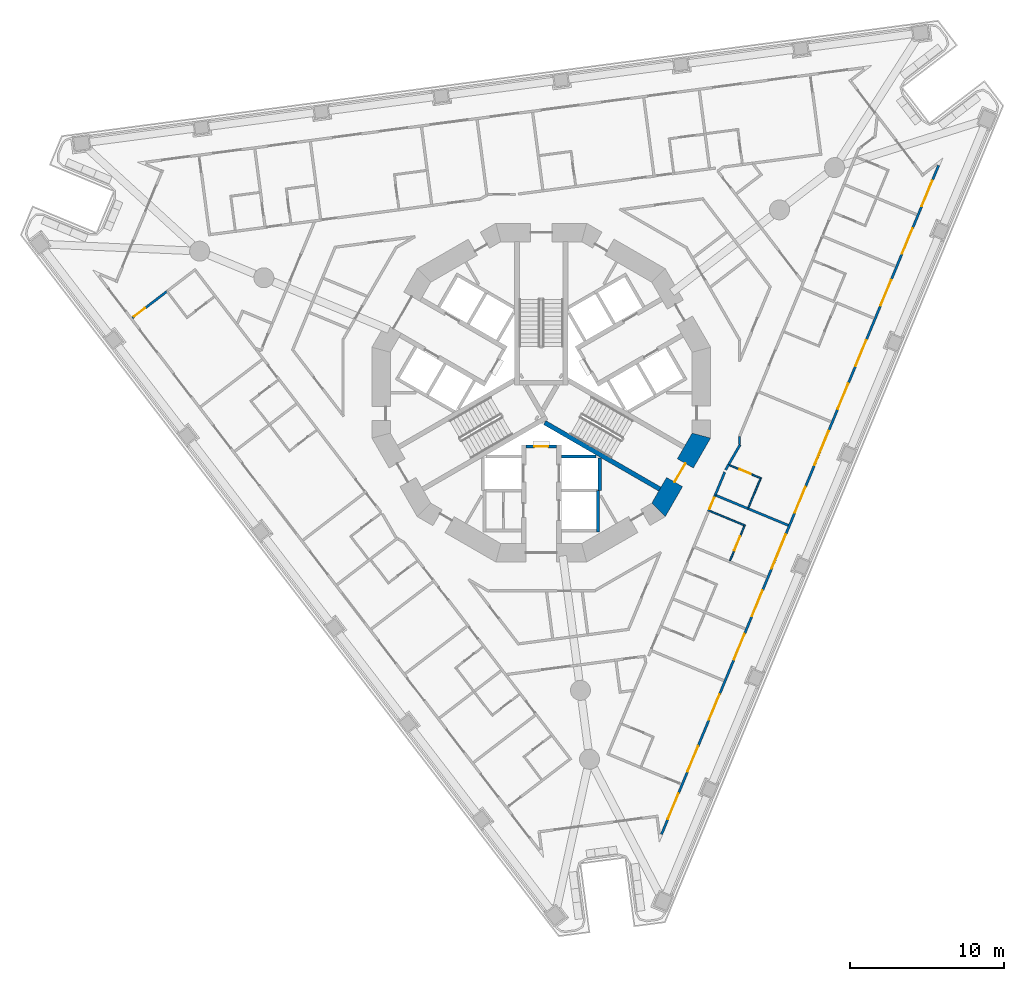
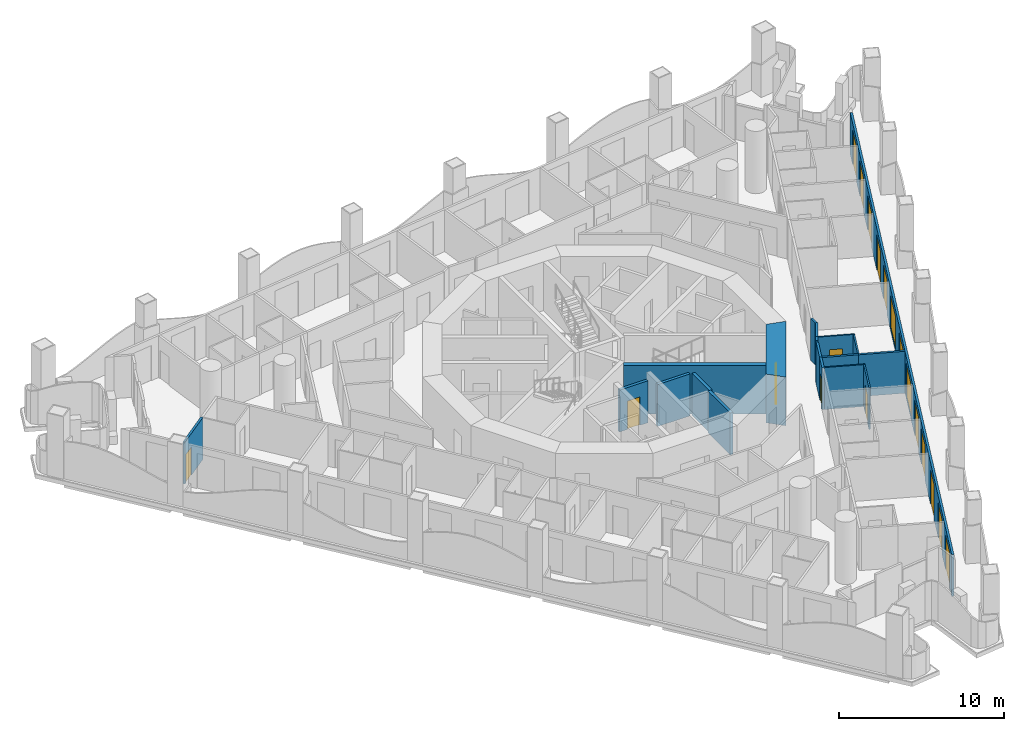
# One storey, part 5 of 19: 19 walls, 17 doors, 2 windows, 19 openings.
"""IFC4 building model written with IfcOpenShell, lengths in metres."""

from ifc_helpers import new_model, si_unit, direction, frame, frame_2d, origin, place, context, subcontext, project, spatial, polyline, rectangle, outline, extrude, material, layer, layer_set, type_object, element, fill, save


model = new_model("IFC4")

# Units and contexts
model_context = context("Model", 3, precision=1e-05, world=origin(), true_north=direction((0.0, 1.0)))
body_context = subcontext(model_context, "Body", "Model", "MODEL_VIEW")
ifc_project = project(units=[si_unit("LENGTHUNIT", "METRE"), si_unit("AREAUNIT", "SQUARE_METRE"), si_unit("VOLUMEUNIT", "CUBIC_METRE"), si_unit("PLANEANGLEUNIT", "RADIAN"), si_unit("MASSUNIT", "GRAM", prefix="KILO")], contexts=[model_context])

# Site, building, storey
site_placement = place(None, origin())
site = spatial("IfcSite", under=ifc_project, at=site_placement, CompositionType="ELEMENT")
building_placement = place(site_placement, origin())
building = spatial("IfcBuilding", under=site, at=building_placement, Name="Trine Commons Tower", CompositionType="ELEMENT")
storey_placement = place(building_placement, frame((0.0, 0.0, 79.199951171875)))
storey = spatial("IfcBuildingStorey", under=building, at=storey_placement, Name="L19", CompositionType="ELEMENT", Elevation=79.199951171875)

# Wall, openings, windows, doors
ifc_material_1 = material(Name="Aluminium-framed insulated wall panel", Category="aluminium")
ifc_layer_1 = layer(ifc_material_1, 0.14990234375)
ifc_layer_set_1 = layer_set([ifc_layer_1], Name="Aluminium-framed insulated wall panel")
wall_type_1 = type_object("IfcWallType", Name="Glazed frame wall 150, EI 60", PredefinedType="SOLIDWALL", material=ifc_layer_set_1)
wall_1_placement = place(storey_placement, frame((105.888671875, 77.410888671875, 0.0), z_axis=(0.0, 0.0, 1.0), x_axis=(-0.38268395344, -0.923879316675, 0.0)))
wall_1 = element("IfcWall", 1, at=wall_1_placement, inside=storey, type_object=wall_type_1, Name="Glazed frame wall F2", PredefinedType="SOLIDWALL", context=body_context, shape_type="SweptSolid", body=[
    extrude(outline(polyline([(0.1494140625, 0.074951171875), (0.1494140625, -0.074951171875), (47.216796875, -0.074951171875), (47.216796875, 0.074951171875), (0.1494140625, 0.074951171875)])), origin(), (0.0, 0.0, 1.0), 3.10009765625),
])
opening_1_placement = place(wall_1_placement, frame((1.2216796875, 0.0, 0.0)))
opening_1 = element("IfcOpeningElement", 2, at=opening_1_placement, cuts=wall_1, Name="Opening BD-2F2-01", PredefinedType="OPENING", context=body_context, shape_type="SweptSolid", body=[
    extrude(rectangle(XDim=1.800048828125, YDim=2.60009765625, at=frame_2d((0.89990234375, 1.300048828125))), frame((0.0, 0.0849609375, 0.0), z_axis=(0.0, -1.0, 0.0), x_axis=(1.0, 0.0, 0.0)), (0.0, 0.0, 1.0), 0.169921875),
])
opening_2_placement = place(wall_1_placement, frame((4.5654296875, 0.0, 0.0)))
opening_2 = element("IfcOpeningElement", 3, at=opening_2_placement, cuts=wall_1, Name="Opening BD-2F2-02", PredefinedType="OPENING", context=body_context, shape_type="SweptSolid", body=[
    extrude(rectangle(XDim=1.800048828125, YDim=2.60009765625, at=frame_2d((0.89990234375, 1.300048828125))), frame((0.0, 0.0849609375, 0.0), z_axis=(0.0, -1.0, 0.0), x_axis=(1.0, 0.0, 0.0)), (0.0, 0.0, 1.0), 0.169921875),
])
opening_3_placement = place(wall_1_placement, frame((8.208984375, 0.0, 0.0)))
opening_3 = element("IfcOpeningElement", 4, at=opening_3_placement, cuts=wall_1, Name="Opening BD-2F2-03", PredefinedType="OPENING", context=body_context, shape_type="SweptSolid", body=[
    extrude(rectangle(XDim=1.800048828125, YDim=2.60009765625, at=frame_2d((0.89990234375, 1.300048828125))), frame((0.0, 0.0849609375, 0.0), z_axis=(0.0, -1.0, 0.0), x_axis=(1.0, 0.0, 0.0)), (0.0, 0.0, 1.0), 0.169921875),
])
opening_4_placement = place(wall_1_placement, frame((12.45263671875, 0.0, 0.0)))
opening_4 = element("IfcOpeningElement", 5, at=opening_4_placement, cuts=wall_1, Name="Opening BD-2F2-04", PredefinedType="OPENING", context=body_context, shape_type="SweptSolid", body=[
    extrude(rectangle(XDim=1.800048828125, YDim=2.60009765625, at=frame_2d((0.89990234375, 1.300048828125))), frame((0.0, 0.0849609375, 0.0), z_axis=(0.0, -1.0, 0.0), x_axis=(1.0, 0.0, 0.0)), (0.0, 0.0, 1.0), 0.169921875),
])
opening_5_placement = place(wall_1_placement, frame((15.49609375, 0.0, 0.0)))
opening_5 = element("IfcOpeningElement", 6, at=opening_5_placement, cuts=wall_1, Name="Opening BD-2F2-05", PredefinedType="OPENING", context=body_context, shape_type="SweptSolid", body=[
    extrude(rectangle(XDim=1.800048828125, YDim=2.60009765625, at=frame_2d((0.89990234375, 1.300048828125))), frame((0.0, 0.0849609375, 0.0), z_axis=(0.0, -1.0, 0.0), x_axis=(1.0, 0.0, 0.0)), (0.0, 0.0, 1.0), 0.169921875),
])
opening_6_placement = place(wall_1_placement, frame((18.83984375, 0.0, 0.14990234375)))
opening_6 = element("IfcOpeningElement", 7, at=opening_6_placement, cuts=wall_1, Name="Opening W-2F2-06", PredefinedType="OPENING", context=body_context, shape_type="SweptSolid", body=[
    extrude(rectangle(XDim=2.39990234375, YDim=2.449951171875, at=frame_2d((1.199951171875, 1.22509765625))), frame((0.0, 0.0849609375, 0.0), z_axis=(0.0, -1.0, 0.0), x_axis=(1.0, 0.0, 0.0)), (0.0, 0.0, 1.0), 0.169921875),
])
opening_7_placement = place(wall_1_placement, frame((22.783447265625, 0.0, 0.0)))
opening_7 = element("IfcOpeningElement", 8, at=opening_7_placement, cuts=wall_1, Name="Opening BD-2F2-07", PredefinedType="OPENING", context=body_context, shape_type="SweptSolid", body=[
    extrude(rectangle(XDim=1.800048828125, YDim=2.60009765625, at=frame_2d((0.89990234375, 1.300048828125))), frame((0.0, 0.0849609375, 0.0), z_axis=(0.0, -1.0, 0.0), x_axis=(1.0, 0.0, 0.0)), (0.0, 0.0, 1.0), 0.169921875),
])
opening_8_placement = place(wall_1_placement, frame((26.126953125, 0.0, 0.14990234375)))
opening_8 = element("IfcOpeningElement", 9, at=opening_8_placement, cuts=wall_1, Name="Opening W-2F2-08", PredefinedType="OPENING", context=body_context, shape_type="SweptSolid", body=[
    extrude(rectangle(XDim=2.39990234375, YDim=2.449951171875, at=frame_2d((1.199951171875, 1.22509765625))), frame((0.0, 0.0849609375, 0.0), z_axis=(0.0, -1.0, 0.0), x_axis=(1.0, 0.0, 0.0)), (0.0, 0.0, 1.0), 0.169921875),
])
opening_9_placement = place(wall_1_placement, frame((30.070556640625, 0.0, 0.0)))
opening_9 = element("IfcOpeningElement", 10, at=opening_9_placement, cuts=wall_1, Name="Opening BD-2F2-09", PredefinedType="OPENING", context=body_context, shape_type="SweptSolid", body=[
    extrude(rectangle(XDim=1.800048828125, YDim=2.60009765625, at=frame_2d((0.89990234375, 1.300048828125))), frame((0.0, 0.0849609375, 0.0), z_axis=(0.0, -1.0, 0.0), x_axis=(1.0, 0.0, 0.0)), (0.0, 0.0, 1.0), 0.169921875),
])
opening_10_placement = place(wall_1_placement, frame((33.1142578125, 0.0, 0.0)))
opening_10 = element("IfcOpeningElement", 11, at=opening_10_placement, cuts=wall_1, Name="Opening BD-2F2-10", PredefinedType="OPENING", context=body_context, shape_type="SweptSolid", body=[
    extrude(rectangle(XDim=1.800048828125, YDim=2.60009765625, at=frame_2d((0.89990234375, 1.300048828125))), frame((0.0, 0.0849609375, 0.0), z_axis=(0.0, -1.0, 0.0), x_axis=(1.0, 0.0, 0.0)), (0.0, 0.0, 1.0), 0.169921875),
])
opening_11_placement = place(wall_1_placement, frame((37.35791015625, 0.0, 0.0)))
opening_11 = element("IfcOpeningElement", 12, at=opening_11_placement, cuts=wall_1, Name="Opening BD-2F2-11", PredefinedType="OPENING", context=body_context, shape_type="SweptSolid", body=[
    extrude(rectangle(XDim=1.800048828125, YDim=2.60009765625, at=frame_2d((0.89990234375, 1.300048828125))), frame((0.0, 0.0849609375, 0.0), z_axis=(0.0, -1.0, 0.0), x_axis=(1.0, 0.0, 0.0)), (0.0, 0.0, 1.0), 0.169921875),
])
opening_12_placement = place(wall_1_placement, frame((41.00146484375, 0.0, 0.0)))
opening_12 = element("IfcOpeningElement", 13, at=opening_12_placement, cuts=wall_1, Name="Opening BD-2F2-12", PredefinedType="OPENING", context=body_context, shape_type="SweptSolid", body=[
    extrude(rectangle(XDim=1.800048828125, YDim=2.60009765625, at=frame_2d((0.89990234375, 1.300048828125))), frame((0.0, 0.0849609375, 0.0), z_axis=(0.0, -1.0, 0.0), x_axis=(1.0, 0.0, 0.0)), (0.0, 0.0, 1.0), 0.169921875),
])
opening_13_placement = place(wall_1_placement, frame((44.344970703125, 0.0, 0.0)))
opening_13 = element("IfcOpeningElement", 14, at=opening_13_placement, cuts=wall_1, Name="Opening BD-2F2-13", PredefinedType="OPENING", context=body_context, shape_type="SweptSolid", body=[
    extrude(rectangle(XDim=1.800048828125, YDim=2.60009765625, at=frame_2d((0.89990234375, 1.300048828125))), frame((0.0, 0.0849609375, 0.0), z_axis=(0.0, -1.0, 0.0), x_axis=(1.0, 0.0, 0.0)), (0.0, 0.0, 1.0), 0.169921875),
])
ifc_material_2 = material(Name="Anodised aluminium frame with double glazing", Category="aluminium")
window_type = type_object("IfcWindowType", Name="Fixed window 2400x2450", PartitioningType="SINGLE_PANEL", PredefinedType="WINDOW", material=ifc_material_2)
window_1_placement = place(opening_6_placement, origin())
window_1 = element("IfcWindow", 15, at=window_1_placement, inside=storey, type_object=window_type, Name="Window F2 6", OverallHeight=2.449951171875, OverallWidth=2.39990234375, PartitioningType="SINGLE_PANEL", PredefinedType="WINDOW", context=body_context, shape_type="SweptSolid", body=[
    extrude(rectangle(XDim=2.39990234375, YDim=2.449951171875, at=frame_2d((1.199951171875, 1.22509765625))), frame((0.0, 0.030029296875, 0.0), z_axis=(0.0, -1.0, 0.0), x_axis=(1.0, 0.0, 0.0)), (0.0, 0.0, 1.0), 0.06005859375),
])
fill(opening_6, window_1)
window_2_placement = place(opening_8_placement, origin())
window_2 = element("IfcWindow", 16, at=window_2_placement, inside=storey, type_object=window_type, Name="Window F2 8", OverallHeight=2.449951171875, OverallWidth=2.39990234375, PartitioningType="SINGLE_PANEL", PredefinedType="WINDOW", context=body_context, shape_type="SweptSolid", body=[
    extrude(rectangle(XDim=2.39990234375, YDim=2.449951171875, at=frame_2d((1.199951171875, 1.22509765625))), frame((0.0, 0.030029296875, 0.0), z_axis=(0.0, -1.0, 0.0), x_axis=(1.0, 0.0, 0.0)), (0.0, 0.0, 1.0), 0.06005859375),
])
fill(opening_8, window_2)
door_type_1 = type_object("IfcDoorType", Name="Sliding loggia door 1800x2600", OperationType="SLIDING_TO_LEFT", PredefinedType="DOOR", material=ifc_material_2)
door_1_placement = place(opening_1_placement, origin())
door_1 = element("IfcDoor", 17, at=door_1_placement, inside=storey, type_object=door_type_1, Name="Loggia door F2 1", OperationType="SLIDING_TO_LEFT", OverallHeight=2.60009765625, OverallWidth=1.800048828125, PredefinedType="DOOR", context=body_context, shape_type="SweptSolid", body=[
    extrude(rectangle(XDim=1.800048828125, YDim=2.60009765625, at=frame_2d((0.89990234375, 1.300048828125))), frame((0.0, 0.02490234375, 0.0), z_axis=(0.0, -1.0, 0.0), x_axis=(1.0, 0.0, 0.0)), (0.0, 0.0, 1.0), 0.050048828125),
])
fill(opening_1, door_1)
door_2_placement = place(opening_2_placement, origin())
door_2 = element("IfcDoor", 18, at=door_2_placement, inside=storey, type_object=door_type_1, Name="Loggia door F2 2", OperationType="SLIDING_TO_LEFT", OverallHeight=2.60009765625, OverallWidth=1.800048828125, PredefinedType="DOOR", context=body_context, shape_type="SweptSolid", body=[
    extrude(rectangle(XDim=1.800048828125, YDim=2.60009765625, at=frame_2d((0.89990234375, 1.300048828125))), frame((0.0, 0.02490234375, 0.0), z_axis=(0.0, -1.0, 0.0), x_axis=(1.0, 0.0, 0.0)), (0.0, 0.0, 1.0), 0.050048828125),
])
fill(opening_2, door_2)
door_3_placement = place(opening_3_placement, origin())
door_3 = element("IfcDoor", 19, at=door_3_placement, inside=storey, type_object=door_type_1, Name="Loggia door F2 3", OperationType="SLIDING_TO_LEFT", OverallHeight=2.60009765625, OverallWidth=1.800048828125, PredefinedType="DOOR", context=body_context, shape_type="SweptSolid", body=[
    extrude(rectangle(XDim=1.800048828125, YDim=2.60009765625, at=frame_2d((0.89990234375, 1.300048828125))), frame((0.0, 0.02490234375, 0.0), z_axis=(0.0, -1.0, 0.0), x_axis=(1.0, 0.0, 0.0)), (0.0, 0.0, 1.0), 0.050048828125),
])
fill(opening_3, door_3)
door_4_placement = place(opening_4_placement, origin())
door_4 = element("IfcDoor", 20, at=door_4_placement, inside=storey, type_object=door_type_1, Name="Loggia door F2 4", OperationType="SLIDING_TO_LEFT", OverallHeight=2.60009765625, OverallWidth=1.800048828125, PredefinedType="DOOR", context=body_context, shape_type="SweptSolid", body=[
    extrude(rectangle(XDim=1.800048828125, YDim=2.60009765625, at=frame_2d((0.89990234375, 1.300048828125))), frame((0.0, 0.02490234375, 0.0), z_axis=(0.0, -1.0, 0.0), x_axis=(1.0, 0.0, 0.0)), (0.0, 0.0, 1.0), 0.050048828125),
])
fill(opening_4, door_4)
door_5_placement = place(opening_5_placement, origin())
door_5 = element("IfcDoor", 21, at=door_5_placement, inside=storey, type_object=door_type_1, Name="Loggia door F2 5", OperationType="SLIDING_TO_LEFT", OverallHeight=2.60009765625, OverallWidth=1.800048828125, PredefinedType="DOOR", context=body_context, shape_type="SweptSolid", body=[
    extrude(rectangle(XDim=1.800048828125, YDim=2.60009765625, at=frame_2d((0.89990234375, 1.300048828125))), frame((0.0, 0.02490234375, 0.0), z_axis=(0.0, -1.0, 0.0), x_axis=(1.0, 0.0, 0.0)), (0.0, 0.0, 1.0), 0.050048828125),
])
fill(opening_5, door_5)
door_6_placement = place(opening_7_placement, origin())
door_6 = element("IfcDoor", 22, at=door_6_placement, inside=storey, type_object=door_type_1, Name="Loggia door F2 7", OperationType="SLIDING_TO_LEFT", OverallHeight=2.60009765625, OverallWidth=1.800048828125, PredefinedType="DOOR", context=body_context, shape_type="SweptSolid", body=[
    extrude(rectangle(XDim=1.800048828125, YDim=2.60009765625, at=frame_2d((0.89990234375, 1.300048828125))), frame((0.0, 0.02490234375, 0.0), z_axis=(0.0, -1.0, 0.0), x_axis=(1.0, 0.0, 0.0)), (0.0, 0.0, 1.0), 0.050048828125),
])
fill(opening_7, door_6)
door_7_placement = place(opening_9_placement, origin())
door_7 = element("IfcDoor", 23, at=door_7_placement, inside=storey, type_object=door_type_1, Name="Loggia door F2 9", OperationType="SLIDING_TO_LEFT", OverallHeight=2.60009765625, OverallWidth=1.800048828125, PredefinedType="DOOR", context=body_context, shape_type="SweptSolid", body=[
    extrude(rectangle(XDim=1.800048828125, YDim=2.60009765625, at=frame_2d((0.89990234375, 1.300048828125))), frame((0.0, 0.02490234375, 0.0), z_axis=(0.0, -1.0, 0.0), x_axis=(1.0, 0.0, 0.0)), (0.0, 0.0, 1.0), 0.050048828125),
])
fill(opening_9, door_7)
door_8_placement = place(opening_10_placement, origin())
door_8 = element("IfcDoor", 24, at=door_8_placement, inside=storey, type_object=door_type_1, Name="Loggia door F2 10", OperationType="SLIDING_TO_LEFT", OverallHeight=2.60009765625, OverallWidth=1.800048828125, PredefinedType="DOOR", context=body_context, shape_type="SweptSolid", body=[
    extrude(rectangle(XDim=1.800048828125, YDim=2.60009765625, at=frame_2d((0.89990234375, 1.300048828125))), frame((0.0, 0.02490234375, 0.0), z_axis=(0.0, -1.0, 0.0), x_axis=(1.0, 0.0, 0.0)), (0.0, 0.0, 1.0), 0.050048828125),
])
fill(opening_10, door_8)
door_9_placement = place(opening_11_placement, origin())
door_9 = element("IfcDoor", 25, at=door_9_placement, inside=storey, type_object=door_type_1, Name="Loggia door F2 11", OperationType="SLIDING_TO_LEFT", OverallHeight=2.60009765625, OverallWidth=1.800048828125, PredefinedType="DOOR", context=body_context, shape_type="SweptSolid", body=[
    extrude(rectangle(XDim=1.800048828125, YDim=2.60009765625, at=frame_2d((0.89990234375, 1.300048828125))), frame((0.0, 0.02490234375, 0.0), z_axis=(0.0, -1.0, 0.0), x_axis=(1.0, 0.0, 0.0)), (0.0, 0.0, 1.0), 0.050048828125),
])
fill(opening_11, door_9)
door_10_placement = place(opening_12_placement, origin())
door_10 = element("IfcDoor", 26, at=door_10_placement, inside=storey, type_object=door_type_1, Name="Loggia door F2 12", OperationType="SLIDING_TO_LEFT", OverallHeight=2.60009765625, OverallWidth=1.800048828125, PredefinedType="DOOR", context=body_context, shape_type="SweptSolid", body=[
    extrude(rectangle(XDim=1.800048828125, YDim=2.60009765625, at=frame_2d((0.89990234375, 1.300048828125))), frame((0.0, 0.02490234375, 0.0), z_axis=(0.0, -1.0, 0.0), x_axis=(1.0, 0.0, 0.0)), (0.0, 0.0, 1.0), 0.050048828125),
])
fill(opening_12, door_10)
door_11_placement = place(opening_13_placement, origin())
door_11 = element("IfcDoor", 27, at=door_11_placement, inside=storey, type_object=door_type_1, Name="Loggia door F2 13", OperationType="SLIDING_TO_LEFT", OverallHeight=2.60009765625, OverallWidth=1.800048828125, PredefinedType="DOOR", context=body_context, shape_type="SweptSolid", body=[
    extrude(rectangle(XDim=1.800048828125, YDim=2.60009765625, at=frame_2d((0.89990234375, 1.300048828125))), frame((0.0, 0.02490234375, 0.0), z_axis=(0.0, -1.0, 0.0), x_axis=(1.0, 0.0, 0.0)), (0.0, 0.0, 1.0), 0.050048828125),
])
fill(opening_13, door_11)

# Wall, opening, door
ifc_material_3 = material(Name="Fire-rated gypsum shaft wall system")
ifc_layer_2 = layer(ifc_material_3, 0.199951171875)
ifc_layer_set_2 = layer_set([ifc_layer_2], Name="Fire-rated gypsum shaft wall system")
wall_type_2 = type_object("IfcWallType", Name="Lobby end wall 200 mm, EI 120", PredefinedType="PARTITIONING", material=ifc_layer_set_2)
wall_2_placement = place(storey_placement, frame((79.0, 59.0, 0.0), z_axis=(0.0, 0.0, 1.0), x_axis=(1.0, 0.0, 0.0)))
wall_2 = element("IfcWall", 28, at=wall_2_placement, inside=storey, type_object=wall_type_2, Name="Lobby end wall L19", PredefinedType="PARTITIONING", context=body_context, shape_type="SweptSolid", body=[
    extrude(rectangle(XDim=2.0, YDim=0.199951171875, at=frame_2d((1.0, 0.0))), origin(), (0.0, 0.0, 1.0), 3.10009765625),
])
opening_14_placement = place(wall_2_placement, frame((0.550048828125, 0.0, 0.0)))
opening_14 = element("IfcOpeningElement", 29, at=opening_14_placement, cuts=wall_2, Name="Opening K06.09", PredefinedType="OPENING", context=body_context, shape_type="SweptSolid", body=[
    extrude(rectangle(XDim=0.89990234375, YDim=2.10009765625, at=frame_2d((0.449951171875, 1.050048828125))), frame((0.0, 0.10986328125, 0.0), z_axis=(0.0, -1.0, 0.0), x_axis=(1.0, 0.0, 0.0)), (0.0, 0.0, 1.0), 0.219970703125),
])
ifc_material_4 = material(Name="Steel door leaf, fire-rated", Category="steel")
door_type_2 = type_object("IfcDoorType", Name="Riser access door, single leaf 900 x 2100, FD60", OperationType="SINGLE_SWING_LEFT", PredefinedType="DOOR", material=ifc_material_4)
door_12_placement = place(opening_14_placement, frame((0.89990234375, 0.0, 0.0), z_axis=(0.0, 0.0, 1.0), x_axis=(-1.0, 0.0, 0.0)))
door_12 = element("IfcDoor", 30, at=door_12_placement, inside=storey, type_object=door_type_2, Name="Riser door, Communications riser L19", OperationType="SINGLE_SWING_RIGHT", OverallHeight=2.10009765625, OverallWidth=0.89990234375, PredefinedType="DOOR", context=body_context, shape_type="SweptSolid", body=[
    extrude(rectangle(XDim=0.89990234375, YDim=2.10009765625, at=frame_2d((0.449951171875, 1.050048828125))), frame((0.0, 0.02490234375, 0.0), z_axis=(0.0, -1.0, 0.0), x_axis=(1.0, 0.0, 0.0)), (0.0, 0.0, 1.0), 0.050048828125),
])
fill(opening_14, door_12)

ifc_material_5 = material(Name="Concrete C80/95", Category="concrete")
ifc_layer_3 = layer(ifc_material_5, 1.199951171875)
ifc_layer_set_3 = layer_set([ifc_layer_3], Name="Concrete C80/95")
wall_type_3 = type_object("IfcWallType", Name="RC shear wall 1200 mm, C80/95", PredefinedType="SHEAR", material=ifc_layer_set_3)
wall_3_placement = place(storey_placement, frame((87.54150390625, 54.739013671875, 0.0), z_axis=(0.0, 0.0, 1.0), x_axis=(0.499979111662, 0.866037463336, 0.0)))
wall_3 = element("IfcWall", 31, at=wall_3_placement, inside=storey, type_object=wall_type_3, Name="Core wall CWB-12 L19", PredefinedType="SHEAR", context=body_context, shape_type="SweptSolid", body=[
    extrude(outline(polyline([(0.0, -0.60009765625), (5.901123046875, -0.60009765625), (5.57958984375, 0.60009765625), (0.321533203125, 0.60009765625), (0.0, -0.60009765625)])), origin(), (0.0, 0.0, 1.0), 3.60009765625),
])
opening_15_placement = place(wall_3_placement, frame((2.25048828125, 0.0, 0.0)))
opening_15 = element("IfcOpeningElement", 32, at=opening_15_placement, cuts=wall_3, Name="Opening K06.03", PredefinedType="OPENING", context=body_context, shape_type="SweptSolid", body=[
    extrude(rectangle(XDim=1.39990234375, YDim=2.10009765625, at=frame_2d((0.699951171875, 1.050048828125))), frame((0.0, 0.60986328125, 0.0), z_axis=(0.0, -1.0, 0.0), x_axis=(1.0, 0.0, 0.0)), (0.0, 0.0, 1.0), 1.219970703125),
])
ifc_material_6 = material(Name="Steel door leaves, fire-rated", Category="steel")
door_type_3 = type_object("IfcDoorType", Name="Stair door, double leaf 1400 x 2100, FD90", OperationType="DOUBLE_DOOR_SINGLE_SWING", PredefinedType="DOOR", material=ifc_material_6)
door_13_placement = place(opening_15_placement, origin())
door_13 = element("IfcDoor", 33, at=door_13_placement, inside=storey, type_object=door_type_3, Name="Stair door to Exit stair ST3A L19", OperationType="DOUBLE_DOOR_SINGLE_SWING", OverallHeight=2.10009765625, OverallWidth=1.39990234375, PredefinedType="DOOR", context=body_context, shape_type="SweptSolid", body=[
    extrude(rectangle(XDim=1.39990234375, YDim=2.10009765625, at=frame_2d((0.699951171875, 1.050048828125))), frame((0.0, 0.02490234375, 0.0), z_axis=(0.0, -1.0, 0.0), x_axis=(1.0, 0.0, 0.0)), (0.0, 0.0, 1.0), 0.050048828125),
])
fill(opening_15, door_13)

# Walls
ifc_layer_4 = layer(ifc_material_5, 0.300048828125)
ifc_layer_set_4 = layer_set([ifc_layer_4], Name="Concrete C80/95")
wall_type_4 = type_object("IfcWallType", Name="RC shear wall 300 mm, C80/95", PredefinedType="SHEAR", material=ifc_layer_set_4)
wall_4_placement = place(storey_placement, frame((80.22509765625, 60.552001953125, 0.0), z_axis=(0.0, 0.0, 1.0), x_axis=(0.865965399159, -0.500103916661, 0.0)))
element("IfcWall", 34, at=wall_4_placement, inside=storey, type_object=wall_type_4, Name="Core cross wall SWA-13 L19", PredefinedType="SHEAR", context=body_context, shape_type="SweptSolid", body=[
    extrude(rectangle(XDim=8.642333984375, YDim=0.300048828125, at=frame_2d((4.3212890625, 0.0))), origin(), (0.0, 0.0, 1.0), 3.60009765625),
])
ifc_layer_5 = layer(ifc_material_3, 0.199951171875)
ifc_layer_set_5 = layer_set([ifc_layer_5], Name="Fire-rated gypsum shaft wall system")
wall_type_5 = type_object("IfcWallType", Name="Shaft wall 200 mm, EI 120", PredefinedType="PARTITIONING", material=ifc_layer_set_5)
wall_5_placement = place(storey_placement, frame((81.300048828125, 58.35009765625, 0.0), z_axis=(0.0, 0.0, 1.0), x_axis=(1.0, 0.0, 0.0)))
element("IfcWall", 35, at=wall_5_placement, inside=storey, type_object=wall_type_5, Name="Shaft wall L19", PredefinedType="PARTITIONING", context=body_context, shape_type="SweptSolid", body=[
    extrude(rectangle(XDim=2.264892578125, YDim=0.199951171875, at=frame_2d((1.13232421875, 0.0))), origin(), (0.0, 0.0, 1.0), 3.10009765625),
])
wall_6_placement = place(storey_placement, frame((83.699951171875, 56.14990234375, 0.0), z_axis=(0.0, 0.0, 1.0), x_axis=(0.0, -1.0, 0.0)))
element("IfcWall", 36, at=wall_6_placement, inside=storey, type_object=wall_type_5, Name="Shaft wall L19", PredefinedType="PARTITIONING", context=body_context, shape_type="SweptSolid", body=[
    extrude(rectangle(XDim=2.699951171875, YDim=0.199951171875, at=frame_2d((1.35009765625, 0.0))), origin(), (0.0, 0.0, 1.0), 3.10009765625),
])
wall_7_placement = place(storey_placement, frame((83.800048828125, 58.256103515625, 0.0), z_axis=(0.0, 0.0, 1.0), x_axis=(0.0, -1.0, 0.0)))
element("IfcWall", 37, at=wall_7_placement, inside=storey, type_object=wall_type_5, Name="Shaft wall L19", PredefinedType="PARTITIONING", context=body_context, shape_type="SweptSolid", body=[
    extrude(rectangle(XDim=2.106201171875, YDim=0.199951171875, at=frame_2d((1.05322265625, 0.0))), origin(), (0.0, 0.0, 1.0), 3.10009765625),
])

# Wall, opening, door
ifc_material_7 = material(Name="Gypsum plasterboard on steel stud", Category="steel")
ifc_layer_6 = layer(ifc_material_7, 0.14990234375)
ifc_layer_set_6 = layer_set([ifc_layer_6], Name="Gypsum plasterboard on steel stud")
wall_type_6 = type_object("IfcWallType", Name="Unit and corridor wall 150 mm, EI 60", PredefinedType="PARTITIONING", material=ifc_layer_set_6)
wall_8_placement = place(storey_placement, frame((53.41162109375, 67.3583984375, 0.0), z_axis=(0.0, 0.0, 1.0), x_axis=(0.793542758611, 0.608514494696, 0.0)))
wall_8 = element("IfcWall", 38, at=wall_8_placement, inside=storey, type_object=wall_type_6, Name="Partition 001", PredefinedType="PARTITIONING", context=body_context, shape_type="SweptSolid", body=[
    extrude(rectangle(XDim=2.842041015625, YDim=0.14990234375, at=frame_2d((1.4208984375, 0.0))), origin(), (0.0, 0.0, 1.0), 3.10009765625),
])
opening_16_placement = place(wall_8_placement, frame((0.14990234375, 0.0, 0.0)))
opening_16 = element("IfcOpeningElement", 39, at=opening_16_placement, cuts=wall_8, Name="Opening D-2C32", PredefinedType="OPENING", context=body_context, shape_type="SweptSolid", body=[
    extrude(rectangle(XDim=0.89990234375, YDim=2.10009765625, at=frame_2d((0.449951171875, 1.050048828125))), frame((0.0, 0.0849609375, 0.0), z_axis=(0.0, -1.0, 0.0), x_axis=(1.0, 0.0, 0.0)), (0.0, 0.0, 1.0), 0.169921875),
])
ifc_material_8 = material(Name="Timber fire door set", Category="wood")
door_type_4 = type_object("IfcDoorType", Name="Bedroom door 900 x 2100, FD30S", OperationType="NOTDEFINED", PredefinedType="DOOR", material=ifc_material_8)
door_14_placement = place(opening_16_placement, frame((0.89990234375, 0.0, 0.0), z_axis=(0.0, 0.0, 1.0), x_axis=(-1.0, 0.0, 0.0)))
door_14 = element("IfcDoor", 40, at=door_14_placement, inside=storey, type_object=door_type_4, Name="Door D-2C32", OperationType="SINGLE_SWING_RIGHT", OverallHeight=2.10009765625, OverallWidth=0.89990234375, PredefinedType="DOOR", context=body_context, shape_type="SweptSolid", body=[
    extrude(rectangle(XDim=0.89990234375, YDim=2.10009765625, at=frame_2d((0.449951171875, 1.050048828125))), frame((0.0, 0.02490234375, 0.0), z_axis=(0.0, -1.0, 0.0), x_axis=(1.0, 0.0, 0.0)), (0.0, 0.0, 1.0), 0.050048828125),
])
fill(opening_16, door_14)

wall_9_placement = place(storey_placement, frame((90.871826171875, 54.78271484375, 0.0), z_axis=(0.0, 0.0, 1.0), x_axis=(0.382220720008, 0.924071058521, 0.0)))
wall_9 = element("IfcWall", 41, at=wall_9_placement, inside=storey, type_object=wall_type_6, Name="Partition 122", PredefinedType="PARTITIONING", context=body_context, shape_type="SweptSolid", body=[
    extrude(rectangle(XDim=1.151611328125, YDim=0.14990234375, at=frame_2d((0.57568359375, 0.0))), origin(), (0.0, 0.0, 1.0), 3.10009765625),
])
opening_17_placement = place(wall_9_placement, frame((0.161865234375, 0.0, 0.0)))
opening_17 = element("IfcOpeningElement", 42, at=opening_17_placement, cuts=wall_9, Name="Opening D-2C20", PredefinedType="OPENING", context=body_context, shape_type="SweptSolid", body=[
    extrude(rectangle(XDim=0.800048828125, YDim=2.10009765625, at=frame_2d((0.39990234375, 1.050048828125))), frame((0.0, 0.0849609375, 0.0), z_axis=(0.0, -1.0, 0.0), x_axis=(1.0, 0.0, 0.0)), (0.0, 0.0, 1.0), 0.169921875),
])
door_type_5 = type_object("IfcDoorType", Name="Bedroom door 800 x 2100, FD30S", OperationType="NOTDEFINED", PredefinedType="DOOR", material=ifc_material_8)
door_15_placement = place(opening_17_placement, frame((0.800048828125, 0.0, 0.0), z_axis=(0.0, 0.0, 1.0), x_axis=(-1.0, 0.0, 0.0)))
door_15 = element("IfcDoor", 43, at=door_15_placement, inside=storey, type_object=door_type_5, Name="Door D-2C20", OperationType="SINGLE_SWING_RIGHT", OverallHeight=2.10009765625, OverallWidth=0.800048828125, PredefinedType="DOOR", context=body_context, shape_type="SweptSolid", body=[
    extrude(rectangle(XDim=0.800048828125, YDim=2.10009765625, at=frame_2d((0.39990234375, 1.050048828125))), frame((0.0, 0.02490234375, 0.0), z_axis=(0.0, -1.0, 0.0), x_axis=(1.0, 0.0, 0.0)), (0.0, 0.0, 1.0), 0.050048828125),
])
fill(opening_17, door_15)

# Walls
wall_10_placement = place(storey_placement, frame((91.2802734375, 55.769775390625, 0.0), z_axis=(0.0, 0.0, 1.0), x_axis=(0.382865069258, 0.923804275127, 0.0)))
element("IfcWall", 44, at=wall_10_placement, inside=storey, type_object=wall_type_6, Name="Partition 126", PredefinedType="PARTITIONING", context=body_context, shape_type="SweptSolid", body=[
    extrude(rectangle(XDim=1.6943359375, YDim=0.14990234375, at=frame_2d((0.84716796875, 0.0))), origin(), (0.0, 0.0, 1.0), 3.10009765625),
])
wall_11_placement = place(storey_placement, frame((91.38037109375, 55.814208984375, 0.0), z_axis=(0.0, 0.0, 1.0), x_axis=(0.923815658233, -0.382837602128, 0.0)))
element("IfcWall", 45, at=wall_11_placement, inside=storey, type_object=wall_type_6, Name="Partition 127", PredefinedType="PARTITIONING", context=body_context, shape_type="SweptSolid", body=[
    extrude(rectangle(XDim=2.23388671875, YDim=0.14990234375, at=frame_2d((1.116943359375, 0.0))), origin(), (0.0, 0.0, 1.0), 3.10009765625),
])
wall_12_placement = place(storey_placement, frame((91.98193359375, 57.48046875, 0.0), z_axis=(0.0, 0.0, 1.0), x_axis=(0.500603037456, 0.865676959893, 0.0)))
element("IfcWall", 46, at=wall_12_placement, inside=storey, type_object=wall_type_6, Name="Partition 131", PredefinedType="PARTITIONING", context=body_context, shape_type="SweptSolid", body=[
    extrude(rectangle(XDim=0.39990234375, YDim=0.14990234375, at=frame_2d((0.199951171875, 0.0))), origin(), (0.0, 0.0, 1.0), 3.10009765625),
])
wall_13_placement = place(storey_placement, frame((92.14697265625, 57.765625, 0.0), z_axis=(0.0, 0.0, 1.0), x_axis=(0.500175555549, 0.865924023013, 0.0)))
element("IfcWall", 47, at=wall_13_placement, inside=storey, type_object=wall_type_6, Name="Partition 132", PredefinedType="PARTITIONING", context=body_context, shape_type="SweptSolid", body=[
    extrude(rectangle(XDim=1.5546875, YDim=0.14990234375, at=frame_2d((0.77734375, 0.0))), origin(), (0.0, 0.0, 1.0), 3.10009765625),
])
wall_14_placement = place(storey_placement, frame((92.886962890625, 59.1220703125, 0.0), z_axis=(0.0, 0.0, 1.0), x_axis=(0.0, 1.0, 0.0)))
element("IfcWall", 48, at=wall_14_placement, inside=storey, type_object=wall_type_6, Name="Partition 138", PredefinedType="PARTITIONING", context=body_context, shape_type="SweptSolid", body=[
    extrude(rectangle(XDim=0.535888671875, YDim=0.14990234375, at=frame_2d((0.26806640625, 0.0))), origin(), (0.0, 0.0, 1.0), 3.10009765625),
])
wall_15_placement = place(storey_placement, frame((93.444091796875, 54.958984375, 0.0), z_axis=(0.0, 0.0, 1.0), x_axis=(0.92392958519, -0.382562572152, 0.0)))
element("IfcWall", 49, at=wall_15_placement, inside=storey, type_object=wall_type_6, Name="Partition 144", PredefinedType="PARTITIONING", context=body_context, shape_type="SweptSolid", body=[
    extrude(rectangle(XDim=2.830322265625, YDim=0.14990234375, at=frame_2d((1.4150390625, 0.0))), origin(), (0.0, 0.0, 1.0), 3.10009765625),
])
ifc_layer_7 = layer(ifc_material_7, 0.10009765625)
ifc_layer_set_7 = layer_set([ifc_layer_7], Name="Gypsum plasterboard on steel stud")
wall_type_7 = type_object("IfcWallType", Name="Unit partition 100 mm, no rating", PredefinedType="PARTITIONING", material=ifc_layer_set_7)
wall_16_placement = place(storey_placement, frame((90.96240234375, 54.80322265625, 0.0), z_axis=(0.0, 0.0, 1.0), x_axis=(0.923920221762, -0.38258518505, 0.0)))
element("IfcWall", 50, at=wall_16_placement, inside=storey, type_object=wall_type_7, Name="Partition 123", PredefinedType="PARTITIONING", context=body_context, shape_type="SweptSolid", body=[
    extrude(rectangle(XDim=2.494384765625, YDim=0.10009765625, at=frame_2d((1.2470703125, 0.0))), origin(), (0.0, 0.0, 1.0), 3.10009765625),
])

# Wall, opening, door
wall_17_placement = place(storey_placement, frame((92.243408203125, 57.783203125, 0.0), z_axis=(0.0, 0.0, 1.0), x_axis=(0.923868073298, -0.382711096181, 0.0)))
wall_17 = element("IfcWall", 51, at=wall_17_placement, inside=storey, type_object=wall_type_7, Name="Partition 133", PredefinedType="PARTITIONING", context=body_context, shape_type="SweptSolid", body=[
    extrude(rectangle(XDim=2.240478515625, YDim=0.10009765625, at=frame_2d((1.1201171875, 0.0))), origin(), (0.0, 0.0, 1.0), 3.10009765625),
])
opening_18_placement = place(wall_17_placement, frame((0.6953125, 0.0, 0.0)))
opening_18 = element("IfcOpeningElement", 52, at=opening_18_placement, cuts=wall_17, Name="Opening D-2C52", PredefinedType="OPENING", context=body_context, shape_type="SweptSolid", body=[
    extrude(rectangle(XDim=0.800048828125, YDim=2.10009765625, at=frame_2d((0.39990234375, 1.050048828125))), frame((0.0, 0.06005859375, 0.0), z_axis=(0.0, -1.0, 0.0), x_axis=(1.0, 0.0, 0.0)), (0.0, 0.0, 1.0), 0.1201171875),
])
ifc_material_9 = material(Name="Painted timber", Category="wood")
door_type_6 = type_object("IfcDoorType", Name="Internal door 800 x 2100, NOT RATED", OperationType="NOTDEFINED", PredefinedType="DOOR", material=ifc_material_9)
door_16_placement = place(opening_18_placement, origin())
door_16 = element("IfcDoor", 53, at=door_16_placement, inside=storey, type_object=door_type_6, Name="Door D-2C52", OperationType="SINGLE_SWING_LEFT", OverallHeight=2.10009765625, OverallWidth=0.800048828125, PredefinedType="DOOR", context=body_context, shape_type="SweptSolid", body=[
    extrude(rectangle(XDim=0.800048828125, YDim=2.10009765625, at=frame_2d((0.39990234375, 1.050048828125))), frame((0.0, 0.02490234375, 0.0), z_axis=(0.0, -1.0, 0.0), x_axis=(1.0, 0.0, 0.0)), (0.0, 0.0, 1.0), 0.050048828125),
])
fill(opening_18, door_16)

wall_18_placement = place(storey_placement, frame((92.273681640625, 51.581298828125, 0.0), z_axis=(0.0, 0.0, 1.0), x_axis=(0.382748920082, 0.923852403891, 0.0)))
wall_18 = element("IfcWall", 54, at=wall_18_placement, inside=storey, type_object=wall_type_7, Name="Partition 134", PredefinedType="PARTITIONING", context=body_context, shape_type="SweptSolid", body=[
    extrude(rectangle(XDim=2.425048828125, YDim=0.10009765625, at=frame_2d((1.21240234375, 0.0))), origin(), (0.0, 0.0, 1.0), 3.10009765625),
])
opening_19_placement = place(wall_18_placement, frame((0.71240234375, 0.0, 0.0)))
opening_19 = element("IfcOpeningElement", 55, at=opening_19_placement, cuts=wall_18, Name="Opening D-2C53", PredefinedType="OPENING", context=body_context, shape_type="SweptSolid", body=[
    extrude(rectangle(XDim=1.0, YDim=2.10009765625, at=frame_2d((0.5, 1.050048828125))), frame((0.0, 0.06005859375, 0.0), z_axis=(0.0, -1.0, 0.0), x_axis=(1.0, 0.0, 0.0)), (0.0, 0.0, 1.0), 0.1201171875),
])
door_type_7 = type_object("IfcDoorType", Name="Internal door 1000 x 2100, NOT RATED", OperationType="NOTDEFINED", PredefinedType="DOOR", material=ifc_material_9)
door_17_placement = place(opening_19_placement, frame((1.0, 0.0, 0.0), z_axis=(0.0, 0.0, 1.0), x_axis=(-1.0, 0.0, 0.0)))
door_17 = element("IfcDoor", 56, at=door_17_placement, inside=storey, type_object=door_type_7, Name="Door D-2C53", OperationType="SINGLE_SWING_RIGHT", OverallHeight=2.10009765625, OverallWidth=1.0, PredefinedType="DOOR", context=body_context, shape_type="SweptSolid", body=[
    extrude(rectangle(XDim=1.0, YDim=2.10009765625, at=frame_2d((0.5, 1.050048828125))), frame((0.0, 0.02490234375, 0.0), z_axis=(0.0, -1.0, 0.0), x_axis=(1.0, 0.0, 0.0)), (0.0, 0.0, 1.0), 0.050048828125),
])
fill(opening_19, door_17)

# Wall
wall_19_placement = place(storey_placement, frame((93.47265625, 55.0283203125, 0.0), z_axis=(0.0, 0.0, 1.0), x_axis=(0.382859418939, 0.923806616847, 0.0)))
element("IfcWall", 57, at=wall_19_placement, inside=storey, type_object=wall_type_7, Name="Partition 143", PredefinedType="PARTITIONING", context=body_context, shape_type="SweptSolid", body=[
    extrude(rectangle(XDim=2.024658203125, YDim=0.10009765625, at=frame_2d((1.01220703125, 0.0))), origin(), (0.0, 0.0, 1.0), 3.10009765625),
])

save(model, "model.ifc")
